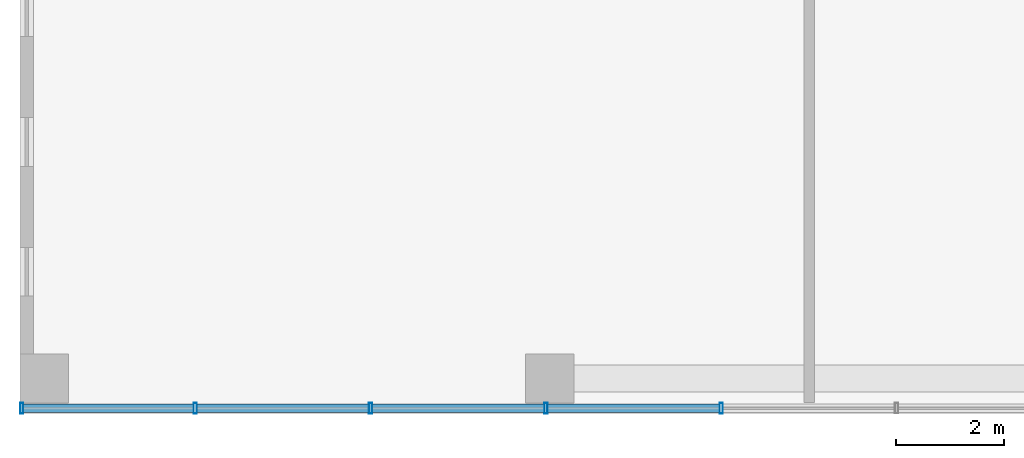
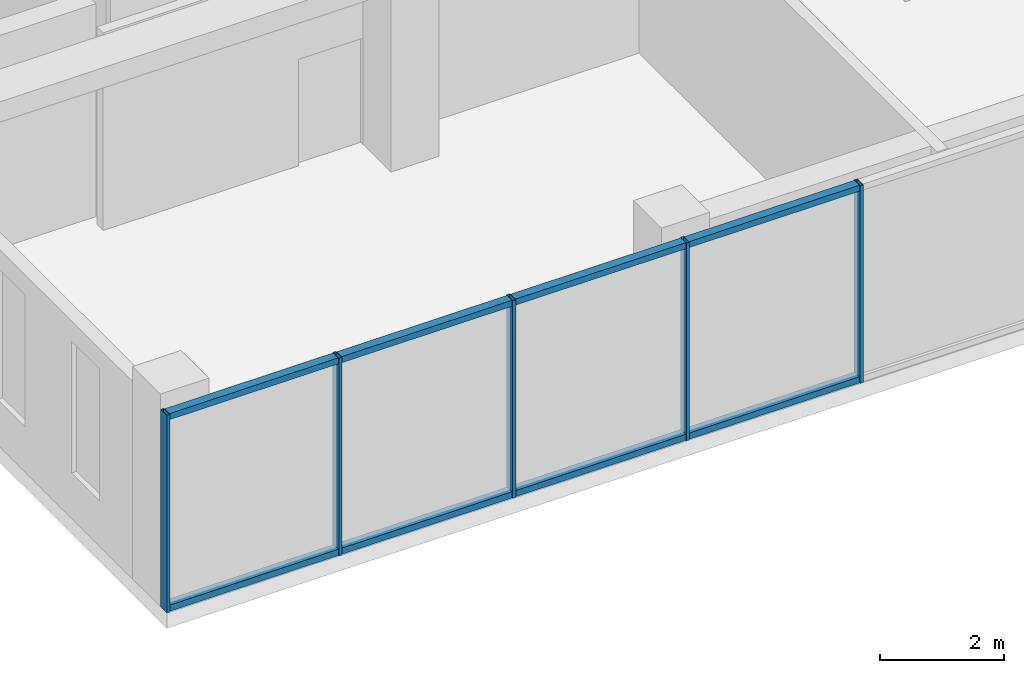
# One storey, part 2 of 36: 13 members, 1 element without a shape of its own.
"""IFC4 building model written with IfcOpenShell, lengths in metres."""

from ifc_helpers import new_model, si_unit, direction, frame, origin, origin_2d, place, context, subcontext, project, spatial, hollow_rectangle, extrude, material, layer, layer_set, material_profile, profile_set, type_object, element, aggregate, save


model = new_model("IFC4")

# Units and contexts
model_context = context("Model", 3, precision=1e-05, world=origin(), true_north=direction((0.0, 1.0)))
body_context = subcontext(model_context, "Body", "Model", "MODEL_VIEW")
ifc_project = project(units=[si_unit("LENGTHUNIT", "METRE"), si_unit("AREAUNIT", "SQUARE_METRE"), si_unit("VOLUMEUNIT", "CUBIC_METRE"), si_unit("PLANEANGLEUNIT", "RADIAN"), si_unit("MASSUNIT", "GRAM", prefix="KILO")], contexts=[model_context])

# Site, building, storey
site_placement = place(None, origin())
site = spatial("IfcSite", under=ifc_project, at=site_placement, CompositionType="ELEMENT")
building_placement = place(site_placement, origin())
building = spatial("IfcBuilding", under=site, at=building_placement, Name="Nzadi Deep Aquarium and Research Tower", CompositionType="ELEMENT")
storey_placement = place(building_placement, frame((0.0, 0.0, 40.300048828125)))
storey = spatial("IfcBuildingStorey", under=building, at=storey_placement, Name="L07", CompositionType="ELEMENT", Elevation=40.300048828125)

# Curtain wall, members
ifc_material_1 = material(Name="Aluminium unitised frame", Category="aluminium")
ifc_layer = layer(ifc_material_1, 0.199951171875)
ifc_layer_set = layer_set([ifc_layer], Name="Aluminium unitised frame")
curtain_wall_type = type_object("IfcCurtainWallType", Name="Curtain wall Unitised 200", PredefinedType="NOTDEFINED", material=ifc_layer_set)
curtain_wall_placement = place(storey_placement, origin())
curtain_wall = element("IfcCurtainWall", 1, at=curtain_wall_placement, inside=storey, type_object=curtain_wall_type, Name="Unitised curtain wall blade A south L07", PredefinedType="NOTDEFINED")
ifc_material_2 = material(Name="Aluminium unitised frame", Category="aluminium")
ifc_material_profile_1 = material_profile(ifc_material_2, hollow_rectangle(XDim=0.199951171875, YDim=0.06005859375, WallThickness=0.0048828125, at=origin_2d()))
ifc_profile_set_1 = profile_set([ifc_material_profile_1], Name="Aluminium unitised frame")
member_type_1 = type_object("IfcMemberType", Name="Mullion 60x200 Unitised", PredefinedType="MULLION", material=ifc_profile_set_1)
member_1_placement = place(storey_placement, frame((-0.16943359375, -0.10009765625, 0.0), z_axis=(0.0, 0.0, 1.0), x_axis=(0.0, 1.0, 0.0)))
member_1 = element("IfcMember", 2, at=member_1_placement, type_object=member_type_1, Name="CW015 mullion 1", PredefinedType="MULLION", context=body_context, shape_type="SweptSolid", body=[
    extrude(hollow_rectangle(XDim=0.199951171875, YDim=0.06005859375, WallThickness=0.0048828125, at=origin_2d()), origin(), (0.0, 0.0, 1.0), 3.89990234375),
])
member_2_placement = place(storey_placement, frame((3.043212890625, -0.10009765625, 0.0), z_axis=(0.0, 0.0, 1.0), x_axis=(0.0, 1.0, 0.0)))
member_2 = element("IfcMember", 3, at=member_2_placement, type_object=member_type_1, Name="CW015 mullion 2", PredefinedType="MULLION", context=body_context, shape_type="SweptSolid", body=[
    extrude(hollow_rectangle(XDim=0.199951171875, YDim=0.06005859375, WallThickness=0.0048828125, at=origin_2d()), origin(), (0.0, 0.0, 1.0), 3.89990234375),
])
member_3_placement = place(storey_placement, frame((6.28662109375, -0.10009765625, 0.0), z_axis=(0.0, 0.0, 1.0), x_axis=(0.0, 1.0, 0.0)))
member_3 = element("IfcMember", 4, at=member_3_placement, type_object=member_type_1, Name="CW015 mullion 3", PredefinedType="MULLION", context=body_context, shape_type="SweptSolid", body=[
    extrude(hollow_rectangle(XDim=0.199951171875, YDim=0.06005859375, WallThickness=0.0048828125, at=origin_2d()), origin(), (0.0, 0.0, 1.0), 3.89990234375),
])
member_4_placement = place(storey_placement, frame((9.530029296875, -0.10009765625, 0.0), z_axis=(0.0, 0.0, 1.0), x_axis=(0.0, 1.0, 0.0)))
member_4 = element("IfcMember", 5, at=member_4_placement, type_object=member_type_1, Name="CW015 mullion 4", PredefinedType="MULLION", context=body_context, shape_type="SweptSolid", body=[
    extrude(hollow_rectangle(XDim=0.199951171875, YDim=0.06005859375, WallThickness=0.0048828125, at=origin_2d()), origin(), (0.0, 0.0, 1.0), 3.89990234375),
])
member_5_placement = place(storey_placement, frame((12.7734375, -0.10009765625, 0.0), z_axis=(0.0, 0.0, 1.0), x_axis=(0.0, 1.0, 0.0)))
member_5 = element("IfcMember", 6, at=member_5_placement, type_object=member_type_1, Name="CW015 mullion 5", PredefinedType="MULLION", context=body_context, shape_type="SweptSolid", body=[
    extrude(hollow_rectangle(XDim=0.199951171875, YDim=0.06005859375, WallThickness=0.0048828125, at=origin_2d()), origin(), (0.0, 0.0, 1.0), 3.89990234375),
])
ifc_material_3 = material(Name="Aluminium unitised frame", Category="aluminium")
ifc_material_profile_2 = material_profile(ifc_material_3, hollow_rectangle(XDim=0.159912109375, YDim=0.1201171875, WallThickness=0.0048828125, at=origin_2d()))
ifc_profile_set_2 = profile_set([ifc_material_profile_2], Name="Aluminium unitised frame")
member_type_2 = type_object("IfcMemberType", Name="Transom 120x160 Unitised", PredefinedType="MULLION", material=ifc_profile_set_2)
member_6_placement = place(storey_placement, frame((-0.139892578125, -0.10009765625, 0.06005859375), z_axis=(1.0, 0.0, 0.0), x_axis=(0.0, 1.0, 0.0)))
member_6 = element("IfcMember", 7, at=member_6_placement, type_object=member_type_2, Name="CW015 transom 1.1", PredefinedType="MULLION", context=body_context, shape_type="SweptSolid", body=[
    extrude(hollow_rectangle(XDim=0.159912109375, YDim=0.1201171875, WallThickness=0.0048828125, at=origin_2d()), origin(), (0.0, 0.0, 1.0), 3.1533203125),
])
member_7_placement = place(storey_placement, frame((-0.139892578125, -0.10009765625, 3.83984375), z_axis=(1.0, 0.0, 0.0), x_axis=(0.0, 1.0, 0.0)))
member_7 = element("IfcMember", 8, at=member_7_placement, type_object=member_type_2, Name="CW015 transom 1.2", PredefinedType="MULLION", context=body_context, shape_type="SweptSolid", body=[
    extrude(hollow_rectangle(XDim=0.159912109375, YDim=0.1201171875, WallThickness=0.0048828125, at=origin_2d()), origin(), (0.0, 0.0, 1.0), 3.1533203125),
])
member_8_placement = place(storey_placement, frame((3.0732421875, -0.10009765625, 0.06005859375), z_axis=(1.0, 0.0, 0.0), x_axis=(0.0, 1.0, 0.0)))
member_8 = element("IfcMember", 9, at=member_8_placement, type_object=member_type_2, Name="CW015 transom 2.1", PredefinedType="MULLION", context=body_context, shape_type="SweptSolid", body=[
    extrude(hollow_rectangle(XDim=0.159912109375, YDim=0.1201171875, WallThickness=0.0048828125, at=origin_2d()), origin(), (0.0, 0.0, 1.0), 3.183349609375),
])
member_9_placement = place(storey_placement, frame((3.0732421875, -0.10009765625, 3.83984375), z_axis=(1.0, 0.0, 0.0), x_axis=(0.0, 1.0, 0.0)))
member_9 = element("IfcMember", 10, at=member_9_placement, type_object=member_type_2, Name="CW015 transom 2.2", PredefinedType="MULLION", context=body_context, shape_type="SweptSolid", body=[
    extrude(hollow_rectangle(XDim=0.159912109375, YDim=0.1201171875, WallThickness=0.0048828125, at=origin_2d()), origin(), (0.0, 0.0, 1.0), 3.183349609375),
])
member_10_placement = place(storey_placement, frame((6.316650390625, -0.10009765625, 0.06005859375), z_axis=(1.0, 0.0, 0.0), x_axis=(0.0, 1.0, 0.0)))
member_10 = element("IfcMember", 11, at=member_10_placement, type_object=member_type_2, Name="CW015 transom 3.1", PredefinedType="MULLION", context=body_context, shape_type="SweptSolid", body=[
    extrude(hollow_rectangle(XDim=0.159912109375, YDim=0.1201171875, WallThickness=0.0048828125, at=origin_2d()), origin(), (0.0, 0.0, 1.0), 3.183349609375),
])
member_11_placement = place(storey_placement, frame((6.316650390625, -0.10009765625, 3.83984375), z_axis=(1.0, 0.0, 0.0), x_axis=(0.0, 1.0, 0.0)))
member_11 = element("IfcMember", 12, at=member_11_placement, type_object=member_type_2, Name="CW015 transom 3.2", PredefinedType="MULLION", context=body_context, shape_type="SweptSolid", body=[
    extrude(hollow_rectangle(XDim=0.159912109375, YDim=0.1201171875, WallThickness=0.0048828125, at=origin_2d()), origin(), (0.0, 0.0, 1.0), 3.183349609375),
])
member_12_placement = place(storey_placement, frame((9.56005859375, -0.10009765625, 0.06005859375), z_axis=(1.0, 0.0, 0.0), x_axis=(0.0, 1.0, 0.0)))
member_12 = element("IfcMember", 13, at=member_12_placement, type_object=member_type_2, Name="CW015 transom 4.1", PredefinedType="MULLION", context=body_context, shape_type="SweptSolid", body=[
    extrude(hollow_rectangle(XDim=0.159912109375, YDim=0.1201171875, WallThickness=0.0048828125, at=origin_2d()), origin(), (0.0, 0.0, 1.0), 3.183349609375),
])
member_13_placement = place(storey_placement, frame((9.56005859375, -0.10009765625, 3.83984375), z_axis=(1.0, 0.0, 0.0), x_axis=(0.0, 1.0, 0.0)))
member_13 = element("IfcMember", 14, at=member_13_placement, type_object=member_type_2, Name="CW015 transom 4.2", PredefinedType="MULLION", context=body_context, shape_type="SweptSolid", body=[
    extrude(hollow_rectangle(XDim=0.159912109375, YDim=0.1201171875, WallThickness=0.0048828125, at=origin_2d()), origin(), (0.0, 0.0, 1.0), 3.183349609375),
])
aggregate(curtain_wall, [member_1, member_2, member_3, member_4, member_5, member_6, member_7, member_8, member_9, member_10, member_11, member_12, member_13])

save(model, "model.ifc")
